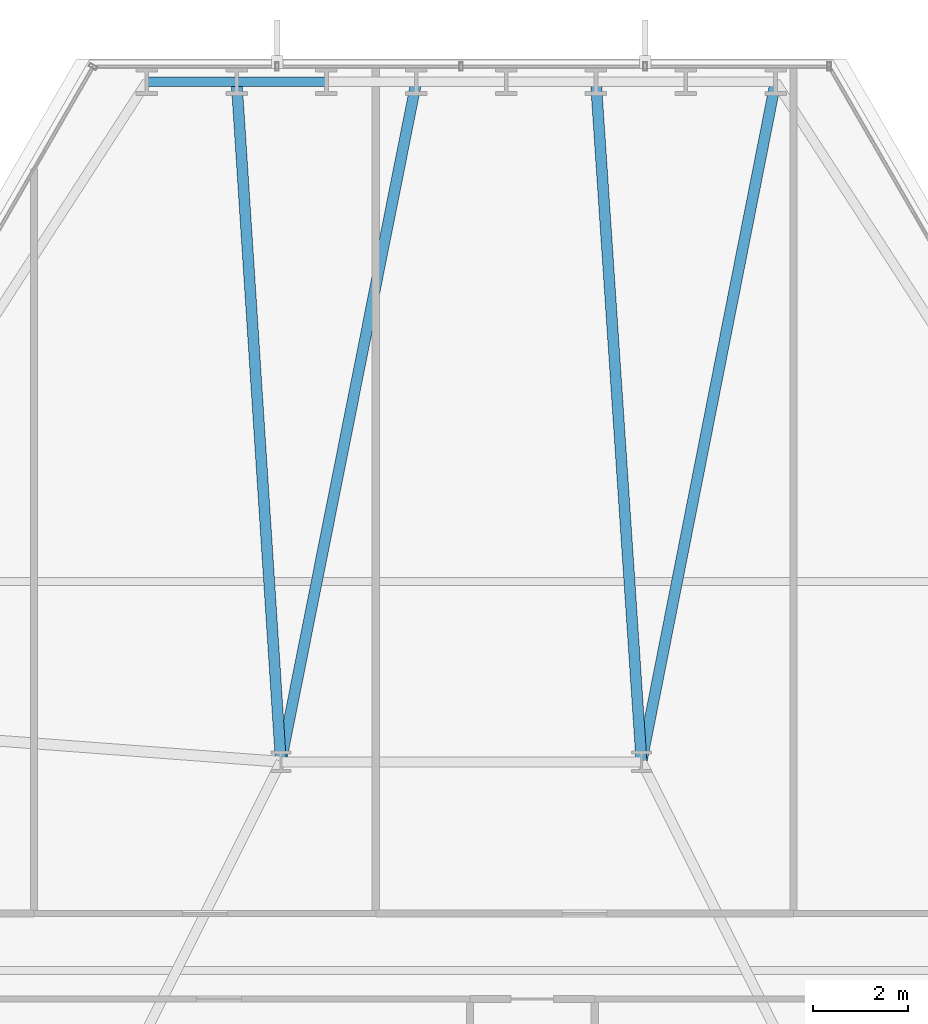
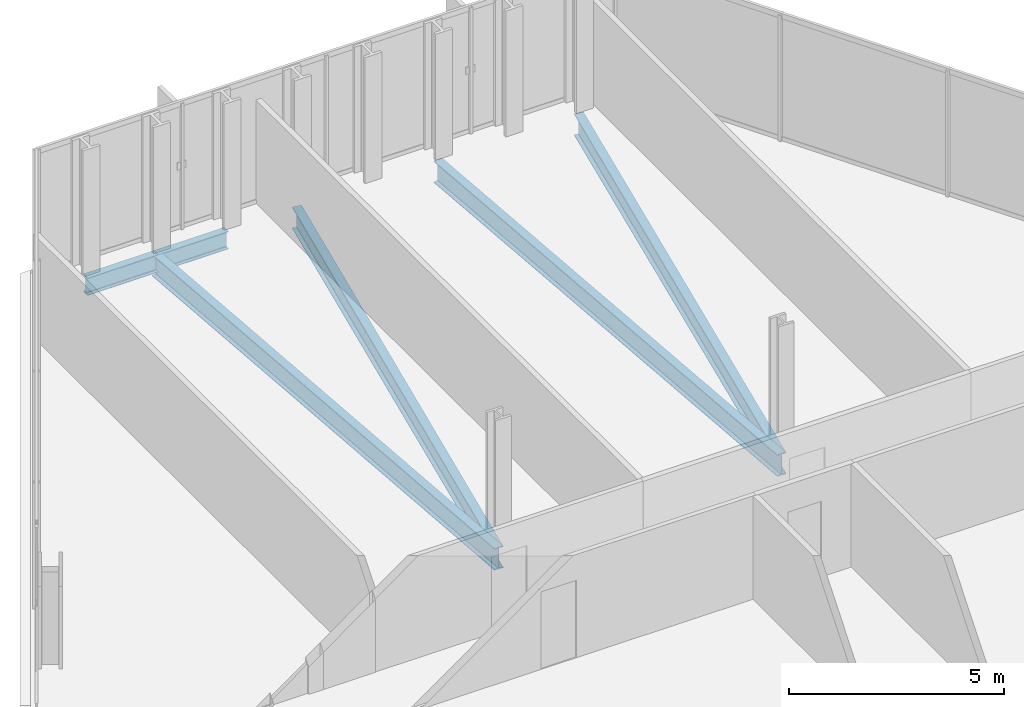
# One storey, part 22 of 32: 6 beams.
"""IFC4 building model written with IfcOpenShell, lengths in metres."""

from ifc_helpers import new_model, si_unit, direction, frame, origin, origin_2d, place, context, subcontext, project, spatial, i_section, extrude, material, material_profile, profile_set, type_object, element, save


model = new_model("IFC4")

# Units and contexts
model_context = context("Model", 3, precision=1e-05, world=origin(), true_north=direction((0.0, 1.0)))
body_context = subcontext(model_context, "Body", "Model", "MODEL_VIEW")
ifc_project = project(units=[si_unit("LENGTHUNIT", "METRE"), si_unit("AREAUNIT", "SQUARE_METRE"), si_unit("VOLUMEUNIT", "CUBIC_METRE"), si_unit("PLANEANGLEUNIT", "RADIAN"), si_unit("MASSUNIT", "GRAM", prefix="KILO")], contexts=[model_context])

# Site, building, storey
site_placement = place(None, origin())
site = spatial("IfcSite", under=ifc_project, at=site_placement, CompositionType="ELEMENT")
building_placement = place(site_placement, origin())
building = spatial("IfcBuilding", under=site, at=building_placement, Name="Ndaravel Arena Tower", CompositionType="ELEMENT")
storey_placement = place(building_placement, frame((0.0, 0.0, 58.800048828125)))
storey = spatial("IfcBuildingStorey", under=building, at=storey_placement, Name="L12", CompositionType="ELEMENT", Elevation=58.800048828125)

# Beams
ifc_material_1 = material(Name="Steel S355", Category="steel")
ifc_material_profile_1 = material_profile(ifc_material_1, i_section(OverallWidth=0.230224609375, OverallDepth=0.6171875, WebThickness=0.01318359375, FlangeThickness=0.022216796875, FilletRadius=0.0126953125, at=origin_2d()), Name="UB 610x229x140")
ifc_profile_set_1 = profile_set([ifc_material_profile_1], Name="Steel S355")
beam_type_1 = type_object("IfcBeamType", Name="BM-GIRD-UB610B", PredefinedType="BEAM", material=ifc_profile_set_1)
beam_1_placement = place(storey_placement, frame((48.625, 45.52783203125, -0.528564453125), z_axis=(-0.193440572584, -0.981111994055, 0.0), x_axis=(0.981111994055, -0.193440572584, 0.0)))
element("IfcBeam", 1, at=beam_1_placement, inside=storey, type_object=beam_type_1, Name="L12 Radial Floor Girder FG-11", PredefinedType="BEAM", context=body_context, shape_type="SweptSolid", body=[
    extrude(i_section(OverallWidth=0.230224609375, OverallDepth=0.6171875, WebThickness=0.01318359375, FlangeThickness=0.022216796875, FilletRadius=0.0126953125, at=origin_2d()), origin(), (0.0, 0.0, 1.0), 14.603759765625),
])
beam_2_placement = place(storey_placement, frame((44.83935546875, 45.52783203125, -0.528564453125), z_axis=(0.066900408178, -0.997759658127, 0.0), x_axis=(0.997759658127, 0.066900408178, 0.0)))
element("IfcBeam", 2, at=beam_2_placement, inside=storey, type_object=beam_type_1, Name="L12 Radial Floor Girder FG-13", PredefinedType="BEAM", context=body_context, shape_type="SweptSolid", body=[
    extrude(i_section(OverallWidth=0.230224609375, OverallDepth=0.6171875, WebThickness=0.01318359375, FlangeThickness=0.022216796875, FilletRadius=0.0126953125, at=origin_2d()), origin(), (0.0, 0.0, 1.0), 14.360107421875),
])
beam_3_placement = place(storey_placement, frame((41.0537109375, 45.52783203125, -0.528564453125), z_axis=(-0.195338355384, -0.980735910893, 0.0), x_axis=(0.980735910893, -0.195338355384, 0.0)))
element("IfcBeam", 3, at=beam_3_placement, inside=storey, type_object=beam_type_1, Name="L12 Radial Floor Girder FG-15", PredefinedType="BEAM", context=body_context, shape_type="SweptSolid", body=[
    extrude(i_section(OverallWidth=0.230224609375, OverallDepth=0.6171875, WebThickness=0.01318359375, FlangeThickness=0.022216796875, FilletRadius=0.0126953125, at=origin_2d()), origin(), (0.0, 0.0, 1.0), 14.609375),
])
beam_4_placement = place(storey_placement, frame((37.267822265625, 45.52783203125, -0.528564453125), z_axis=(0.064919758738, -0.997890487441, 0.0), x_axis=(0.997890487441, 0.064919758738, 0.0)))
element("IfcBeam", 4, at=beam_4_placement, inside=storey, type_object=beam_type_1, Name="L12 Radial Floor Girder FG-17", PredefinedType="BEAM", context=body_context, shape_type="SweptSolid", body=[
    extrude(i_section(OverallWidth=0.230224609375, OverallDepth=0.6171875, WebThickness=0.01318359375, FlangeThickness=0.022216796875, FilletRadius=0.0126953125, at=origin_2d()), origin(), (0.0, 0.0, 1.0), 14.358154296875),
])
ifc_material_2 = material(Name="Steel S355", Category="steel")
ifc_material_profile_2 = material_profile(ifc_material_2, i_section(OverallWidth=0.199951171875, OverallDepth=0.5, WebThickness=0.01025390625, FlangeThickness=0.01611328125, FilletRadius=0.02099609375, at=origin_2d()), Name="IPE 500")
ifc_profile_set_2 = profile_set([ifc_material_profile_2], Name="Steel S355")
beam_type_2 = type_object("IfcBeamType", Name="BM-SPAN-IPE500", PredefinedType="SPANDREL", material=ifc_profile_set_2)
for number, where, z_axis, x_axis, name in (
    (5, (39.16064453125, 45.52783203125, -0.469970703125), (-1.0, 0.0, 0.0), (0.0, -1.0, 0.0), "L12 Perimeter Spandrel Beam SP-16"),
    (6, (37.267822265625, 45.52783203125, -0.469970703125), (-1.0, 0.0, 0.0), (0.0, -1.0, 0.0), "L12 Perimeter Spandrel Beam SP-17"),
):
    element("IfcBeam", number, at=place(storey_placement, frame(where, z_axis=z_axis, x_axis=x_axis)), inside=storey, type_object=beam_type_2, Name=name, PredefinedType="SPANDREL", context=body_context, shape_type="SweptSolid", body=[
        extrude(i_section(OverallWidth=0.199951171875, OverallDepth=0.5, WebThickness=0.01025390625, FlangeThickness=0.01611328125, FilletRadius=0.02099609375, at=origin_2d()), origin(), (0.0, 0.0, 1.0), 1.892822265625),
    ])

save(model, "model.ifc")
